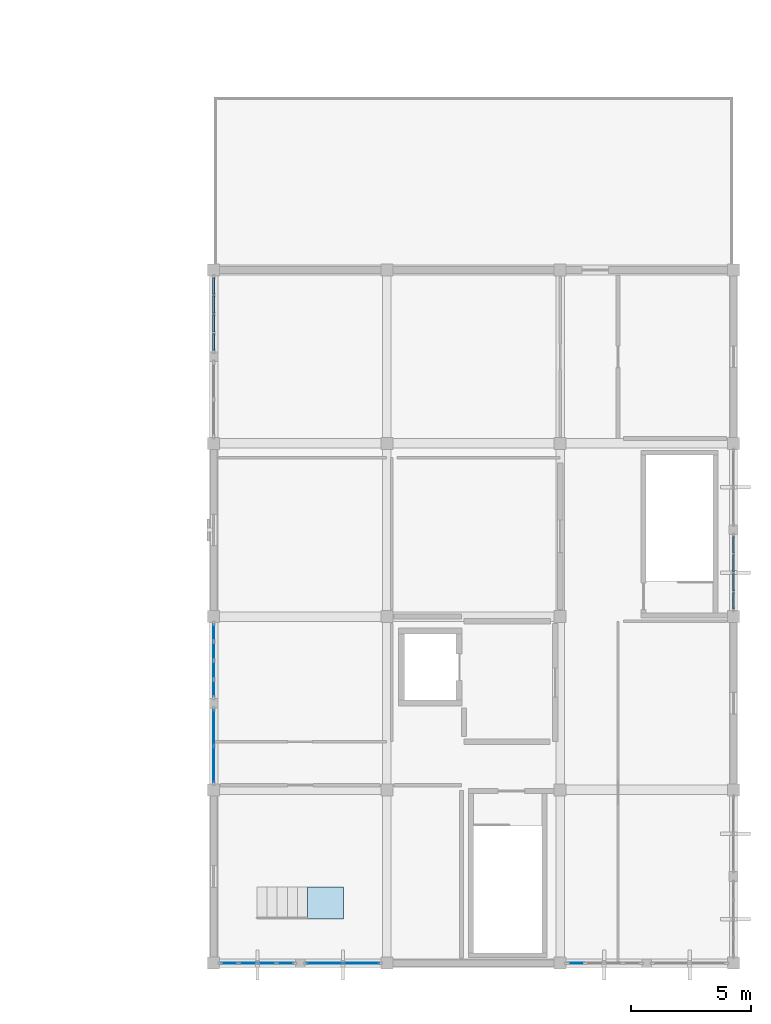
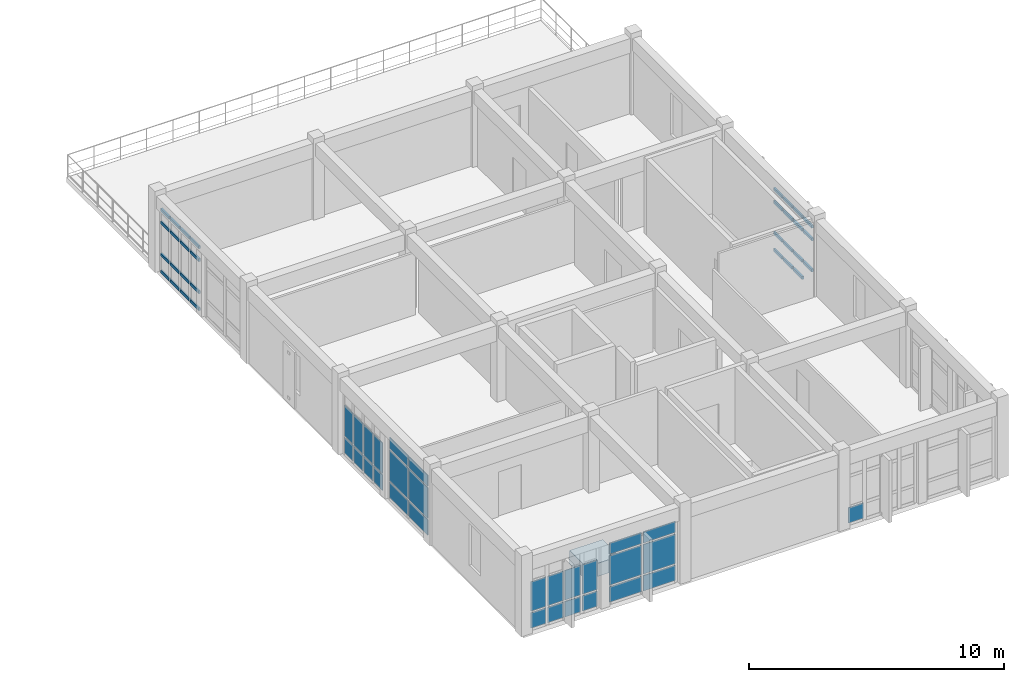
# One storey, part 7 of 14: 31 members, 29 plates, 1 slab, 7 elements without a shape of their own.
"""IFC4 building model written with IfcOpenShell, lengths in metres."""

from ifc_helpers import new_model, si_unit, direction, frame, origin, origin_2d, place, context, subcontext, project, spatial, polyline, rectangle, outline, extrude, material, layer, layer_set, material_profile, profile_set, type_object, element, aggregate, save


model = new_model("IFC4")

# Units and contexts
model_context = context("Model", 3, precision=1e-05, world=origin(), true_north=direction((0.0, 1.0)))
body_context = subcontext(model_context, "Body", "Model", "MODEL_VIEW")
ifc_project = project(units=[si_unit("LENGTHUNIT", "METRE"), si_unit("AREAUNIT", "SQUARE_METRE"), si_unit("VOLUMEUNIT", "CUBIC_METRE"), si_unit("PLANEANGLEUNIT", "RADIAN"), si_unit("MASSUNIT", "GRAM", prefix="KILO")], contexts=[model_context])

# Site, building, storey
site_placement = place(None, origin())
site = spatial("IfcSite", under=ifc_project, at=site_placement, CompositionType="ELEMENT")
building_placement = place(site_placement, origin())
building = spatial("IfcBuilding", under=site, at=building_placement, Name="Koriwan Promenade Central Fire Station", CompositionType="ELEMENT")
storey_placement = place(building_placement, frame((0.0, 0.0, 21.300048828125)))
storey = spatial("IfcBuildingStorey", under=building, at=storey_placement, Name="L05", CompositionType="ELEMENT", Elevation=21.300048828125)

# Curtain wall, members
ifc_material_1 = material(Name="Aluminium EN AW-6063-T6 and low-E glazing", Category="aluminium")
ifc_layer_1 = layer(ifc_material_1, 0.159912109375, Name="Aluminium EN AW-6063-T6 and low-E glazing")
ifc_layer_set_1 = layer_set([ifc_layer_1], Name="Aluminium EN AW-6063-T6 and low-E glazing")
curtain_wall_type_1 = type_object("IfcCurtainWallType", Name="CurtainWall_90_315x299", PredefinedType="USERDEFINED", material=ifc_layer_set_1)
curtain_wall_1_placement = place(storey_placement, origin())
curtain_wall_1 = element("IfcCurtainWall", 1, at=curtain_wall_1_placement, inside=storey, type_object=curtain_wall_type_1, Name="V5 L05 unitised curtain wall 279", ObjectType="UNITISED CURTAIN WALL", PredefinedType="USERDEFINED")
ifc_material_2 = material(Name="Aluminium EN AW-6063-T6", Category="aluminium")
ifc_material_profile = material_profile(ifc_material_2, rectangle(XDim=0.074951171875, YDim=0.139892578125, at=origin_2d()), Name="ALU-TRN-75x140")
ifc_profile_set = profile_set([ifc_material_profile], Name="Aluminium EN AW-6063-T6")
member_type = type_object("IfcMemberType", Name="CWTransom_ALU-TRN-75x140", PredefinedType="USERDEFINED", material=ifc_profile_set)
member_1_placement = place(storey_placement, frame((172.800048828125, 14.72509765625, 0.849853515625), z_axis=(0.0, 1.0, 0.0), x_axis=(-1.0, 0.0, 0.0)))
member_1 = element("IfcMember", 2, at=member_1_placement, type_object=member_type, Name="CW-90 transom 1.2", ObjectType="TRANSOM", PredefinedType="USERDEFINED", context=body_context, shape_type="SweptSolid", body=[
    extrude(rectangle(XDim=0.074951171875, YDim=0.139892578125, at=origin_2d()), origin(), (0.0, 0.0, 1.0), 0.6748046875),
])
member_2_placement = place(storey_placement, frame((172.800048828125, 14.72509765625, 2.33984375), z_axis=(0.0, 1.0, 0.0), x_axis=(-1.0, 0.0, 0.0)))
member_2 = element("IfcMember", 3, at=member_2_placement, type_object=member_type, Name="CW-90 transom 1.3", ObjectType="TRANSOM", PredefinedType="USERDEFINED", context=body_context, shape_type="SweptSolid", body=[
    extrude(rectangle(XDim=0.074951171875, YDim=0.139892578125, at=origin_2d()), origin(), (0.0, 0.0, 1.0), 0.6748046875),
])
member_3_placement = place(storey_placement, frame((172.800048828125, 14.72509765625, 2.952392578125), z_axis=(0.0, 1.0, 0.0), x_axis=(-1.0, 0.0, 0.0)))
member_3 = element("IfcMember", 4, at=member_3_placement, type_object=member_type, Name="CW-90 transom 1.4", ObjectType="TRANSOM", PredefinedType="USERDEFINED", context=body_context, shape_type="SweptSolid", body=[
    extrude(rectangle(XDim=0.074951171875, YDim=0.139892578125, at=origin_2d()), origin(), (0.0, 0.0, 1.0), 0.6748046875),
])
member_4_placement = place(storey_placement, frame((172.800048828125, 15.47509765625, 0.037353515625), z_axis=(0.0, 1.0, 0.0), x_axis=(-1.0, 0.0, 0.0)))
member_4 = element("IfcMember", 5, at=member_4_placement, type_object=member_type, Name="CW-90 transom 2.1", ObjectType="TRANSOM", PredefinedType="USERDEFINED", context=body_context, shape_type="SweptSolid", body=[
    extrude(rectangle(XDim=0.074951171875, YDim=0.139892578125, at=origin_2d()), origin(), (0.0, 0.0, 1.0), 0.71240234375),
])
member_5_placement = place(storey_placement, frame((172.800048828125, 15.47509765625, 0.849853515625), z_axis=(0.0, 1.0, 0.0), x_axis=(-1.0, 0.0, 0.0)))
member_5 = element("IfcMember", 6, at=member_5_placement, type_object=member_type, Name="CW-90 transom 2.2", ObjectType="TRANSOM", PredefinedType="USERDEFINED", context=body_context, shape_type="SweptSolid", body=[
    extrude(rectangle(XDim=0.074951171875, YDim=0.139892578125, at=origin_2d()), origin(), (0.0, 0.0, 1.0), 0.71240234375),
])
member_6_placement = place(storey_placement, frame((172.800048828125, 15.47509765625, 2.33984375), z_axis=(0.0, 1.0, 0.0), x_axis=(-1.0, 0.0, 0.0)))
member_6 = element("IfcMember", 7, at=member_6_placement, type_object=member_type, Name="CW-90 transom 2.3", ObjectType="TRANSOM", PredefinedType="USERDEFINED", context=body_context, shape_type="SweptSolid", body=[
    extrude(rectangle(XDim=0.074951171875, YDim=0.139892578125, at=origin_2d()), origin(), (0.0, 0.0, 1.0), 0.71240234375),
])
member_7_placement = place(storey_placement, frame((172.800048828125, 15.47509765625, 2.952392578125), z_axis=(0.0, 1.0, 0.0), x_axis=(-1.0, 0.0, 0.0)))
member_7 = element("IfcMember", 8, at=member_7_placement, type_object=member_type, Name="CW-90 transom 2.4", ObjectType="TRANSOM", PredefinedType="USERDEFINED", context=body_context, shape_type="SweptSolid", body=[
    extrude(rectangle(XDim=0.074951171875, YDim=0.139892578125, at=origin_2d()), origin(), (0.0, 0.0, 1.0), 0.71240234375),
])
member_8_placement = place(storey_placement, frame((172.800048828125, 16.262451171875, 0.037353515625), z_axis=(0.0, 1.0, 0.0), x_axis=(-1.0, 0.0, 0.0)))
member_8 = element("IfcMember", 9, at=member_8_placement, type_object=member_type, Name="CW-90 transom 3.1", ObjectType="TRANSOM", PredefinedType="USERDEFINED", context=body_context, shape_type="SweptSolid", body=[
    extrude(rectangle(XDim=0.074951171875, YDim=0.139892578125, at=origin_2d()), origin(), (0.0, 0.0, 1.0), 0.712646484375),
])
member_9_placement = place(storey_placement, frame((172.800048828125, 16.262451171875, 0.849853515625), z_axis=(0.0, 1.0, 0.0), x_axis=(-1.0, 0.0, 0.0)))
member_9 = element("IfcMember", 10, at=member_9_placement, type_object=member_type, Name="CW-90 transom 3.2", ObjectType="TRANSOM", PredefinedType="USERDEFINED", context=body_context, shape_type="SweptSolid", body=[
    extrude(rectangle(XDim=0.074951171875, YDim=0.139892578125, at=origin_2d()), origin(), (0.0, 0.0, 1.0), 0.712646484375),
])
member_10_placement = place(storey_placement, frame((172.800048828125, 16.262451171875, 2.33984375), z_axis=(0.0, 1.0, 0.0), x_axis=(-1.0, 0.0, 0.0)))
member_10 = element("IfcMember", 11, at=member_10_placement, type_object=member_type, Name="CW-90 transom 3.3", ObjectType="TRANSOM", PredefinedType="USERDEFINED", context=body_context, shape_type="SweptSolid", body=[
    extrude(rectangle(XDim=0.074951171875, YDim=0.139892578125, at=origin_2d()), origin(), (0.0, 0.0, 1.0), 0.712646484375),
])
member_11_placement = place(storey_placement, frame((172.800048828125, 16.262451171875, 2.952392578125), z_axis=(0.0, 1.0, 0.0), x_axis=(-1.0, 0.0, 0.0)))
member_11 = element("IfcMember", 12, at=member_11_placement, type_object=member_type, Name="CW-90 transom 3.4", ObjectType="TRANSOM", PredefinedType="USERDEFINED", context=body_context, shape_type="SweptSolid", body=[
    extrude(rectangle(XDim=0.074951171875, YDim=0.139892578125, at=origin_2d()), origin(), (0.0, 0.0, 1.0), 0.712646484375),
])
member_12_placement = place(storey_placement, frame((172.800048828125, 17.050048828125, 0.037353515625), z_axis=(0.0, 1.0, 0.0), x_axis=(-1.0, 0.0, 0.0)))
member_12 = element("IfcMember", 13, at=member_12_placement, type_object=member_type, Name="CW-90 transom 4.1", ObjectType="TRANSOM", PredefinedType="USERDEFINED", context=body_context, shape_type="SweptSolid", body=[
    extrude(rectangle(XDim=0.074951171875, YDim=0.139892578125, at=origin_2d()), origin(), (0.0, 0.0, 1.0), 0.675048828125),
])
member_13_placement = place(storey_placement, frame((172.800048828125, 17.050048828125, 0.849853515625), z_axis=(0.0, 1.0, 0.0), x_axis=(-1.0, 0.0, 0.0)))
member_13 = element("IfcMember", 14, at=member_13_placement, type_object=member_type, Name="CW-90 transom 4.2", ObjectType="TRANSOM", PredefinedType="USERDEFINED", context=body_context, shape_type="SweptSolid", body=[
    extrude(rectangle(XDim=0.074951171875, YDim=0.139892578125, at=origin_2d()), origin(), (0.0, 0.0, 1.0), 0.675048828125),
])
member_14_placement = place(storey_placement, frame((172.800048828125, 17.050048828125, 2.33984375), z_axis=(0.0, 1.0, 0.0), x_axis=(-1.0, 0.0, 0.0)))
member_14 = element("IfcMember", 15, at=member_14_placement, type_object=member_type, Name="CW-90 transom 4.3", ObjectType="TRANSOM", PredefinedType="USERDEFINED", context=body_context, shape_type="SweptSolid", body=[
    extrude(rectangle(XDim=0.074951171875, YDim=0.139892578125, at=origin_2d()), origin(), (0.0, 0.0, 1.0), 0.675048828125),
])
member_15_placement = place(storey_placement, frame((172.800048828125, 17.050048828125, 2.952392578125), z_axis=(0.0, 1.0, 0.0), x_axis=(-1.0, 0.0, 0.0)))
member_15 = element("IfcMember", 16, at=member_15_placement, type_object=member_type, Name="CW-90 transom 4.4", ObjectType="TRANSOM", PredefinedType="USERDEFINED", context=body_context, shape_type="SweptSolid", body=[
    extrude(rectangle(XDim=0.074951171875, YDim=0.139892578125, at=origin_2d()), origin(), (0.0, 0.0, 1.0), 0.675048828125),
])
aggregate(curtain_wall_1, [member_1, member_2, member_3, member_4, member_5, member_6, member_7, member_8, member_9, member_10, member_11, member_12, member_13, member_14, member_15])

ifc_layer_2 = layer(ifc_material_1, 0.159912109375, Name="Aluminium EN AW-6063-T6 and low-E glazing")
ifc_layer_set_2 = layer_set([ifc_layer_2], Name="Aluminium EN AW-6063-T6 and low-E glazing")
curtain_wall_type_2 = type_object("IfcCurtainWallType", Name="CurtainWall_91_315x304", PredefinedType="USERDEFINED", material=ifc_layer_set_2)
curtain_wall_2_placement = place(storey_placement, origin())
curtain_wall_2 = element("IfcCurtainWall", 17, at=curtain_wall_2_placement, inside=storey, type_object=curtain_wall_type_2, Name="V5 L05 unitised curtain wall 281", ObjectType="UNITISED CURTAIN WALL", PredefinedType="USERDEFINED")
member_16_placement = place(storey_placement, frame((151.199951171875, 28.47509765625, 0.037353515625), z_axis=(0.0, -1.0, 0.0), x_axis=(1.0, 0.0, 0.0)))
member_16 = element("IfcMember", 18, at=member_16_placement, type_object=member_type, Name="CW-91 transom 1.1", ObjectType="TRANSOM", PredefinedType="USERDEFINED", context=body_context, shape_type="SweptSolid", body=[
    extrude(rectangle(XDim=0.074951171875, YDim=0.139892578125, at=origin_2d()), origin(), (0.0, 0.0, 1.0), 0.675048828125),
])
member_17_placement = place(storey_placement, frame((151.199951171875, 28.47509765625, 0.849853515625), z_axis=(0.0, -1.0, 0.0), x_axis=(1.0, 0.0, 0.0)))
member_17 = element("IfcMember", 19, at=member_17_placement, type_object=member_type, Name="CW-91 transom 1.2", ObjectType="TRANSOM", PredefinedType="USERDEFINED", context=body_context, shape_type="SweptSolid", body=[
    extrude(rectangle(XDim=0.074951171875, YDim=0.139892578125, at=origin_2d()), origin(), (0.0, 0.0, 1.0), 0.675048828125),
])
member_18_placement = place(storey_placement, frame((151.199951171875, 28.47509765625, 2.389892578125), z_axis=(0.0, -1.0, 0.0), x_axis=(1.0, 0.0, 0.0)))
member_18 = element("IfcMember", 20, at=member_18_placement, type_object=member_type, Name="CW-91 transom 1.3", ObjectType="TRANSOM", PredefinedType="USERDEFINED", context=body_context, shape_type="SweptSolid", body=[
    extrude(rectangle(XDim=0.074951171875, YDim=0.139892578125, at=origin_2d()), origin(), (0.0, 0.0, 1.0), 0.675048828125),
])
member_19_placement = place(storey_placement, frame((151.199951171875, 28.47509765625, 3.00244140625), z_axis=(0.0, -1.0, 0.0), x_axis=(1.0, 0.0, 0.0)))
member_19 = element("IfcMember", 21, at=member_19_placement, type_object=member_type, Name="CW-91 transom 1.4", ObjectType="TRANSOM", PredefinedType="USERDEFINED", context=body_context, shape_type="SweptSolid", body=[
    extrude(rectangle(XDim=0.074951171875, YDim=0.139892578125, at=origin_2d()), origin(), (0.0, 0.0, 1.0), 0.675048828125),
])
member_20_placement = place(storey_placement, frame((151.199951171875, 27.72509765625, 0.037353515625), z_axis=(0.0, -1.0, 0.0), x_axis=(1.0, 0.0, 0.0)))
member_20 = element("IfcMember", 22, at=member_20_placement, type_object=member_type, Name="CW-91 transom 2.1", ObjectType="TRANSOM", PredefinedType="USERDEFINED", context=body_context, shape_type="SweptSolid", body=[
    extrude(rectangle(XDim=0.074951171875, YDim=0.139892578125, at=origin_2d()), origin(), (0.0, 0.0, 1.0), 0.712646484375),
])
member_21_placement = place(storey_placement, frame((151.199951171875, 27.72509765625, 0.849853515625), z_axis=(0.0, -1.0, 0.0), x_axis=(1.0, 0.0, 0.0)))
member_21 = element("IfcMember", 23, at=member_21_placement, type_object=member_type, Name="CW-91 transom 2.2", ObjectType="TRANSOM", PredefinedType="USERDEFINED", context=body_context, shape_type="SweptSolid", body=[
    extrude(rectangle(XDim=0.074951171875, YDim=0.139892578125, at=origin_2d()), origin(), (0.0, 0.0, 1.0), 0.712646484375),
])
member_22_placement = place(storey_placement, frame((151.199951171875, 27.72509765625, 2.389892578125), z_axis=(0.0, -1.0, 0.0), x_axis=(1.0, 0.0, 0.0)))
member_22 = element("IfcMember", 24, at=member_22_placement, type_object=member_type, Name="CW-91 transom 2.3", ObjectType="TRANSOM", PredefinedType="USERDEFINED", context=body_context, shape_type="SweptSolid", body=[
    extrude(rectangle(XDim=0.074951171875, YDim=0.139892578125, at=origin_2d()), origin(), (0.0, 0.0, 1.0), 0.712646484375),
])
member_23_placement = place(storey_placement, frame((151.199951171875, 27.72509765625, 3.00244140625), z_axis=(0.0, -1.0, 0.0), x_axis=(1.0, 0.0, 0.0)))
member_23 = element("IfcMember", 25, at=member_23_placement, type_object=member_type, Name="CW-91 transom 2.4", ObjectType="TRANSOM", PredefinedType="USERDEFINED", context=body_context, shape_type="SweptSolid", body=[
    extrude(rectangle(XDim=0.074951171875, YDim=0.139892578125, at=origin_2d()), origin(), (0.0, 0.0, 1.0), 0.712646484375),
])
member_24_placement = place(storey_placement, frame((151.199951171875, 26.9375, 0.037353515625), z_axis=(0.0, -1.0, 0.0), x_axis=(1.0, 0.0, 0.0)))
member_24 = element("IfcMember", 26, at=member_24_placement, type_object=member_type, Name="CW-91 transom 3.1", ObjectType="TRANSOM", PredefinedType="USERDEFINED", context=body_context, shape_type="SweptSolid", body=[
    extrude(rectangle(XDim=0.074951171875, YDim=0.139892578125, at=origin_2d()), origin(), (0.0, 0.0, 1.0), 0.71240234375),
])
member_25_placement = place(storey_placement, frame((151.199951171875, 26.9375, 0.849853515625), z_axis=(0.0, -1.0, 0.0), x_axis=(1.0, 0.0, 0.0)))
member_25 = element("IfcMember", 27, at=member_25_placement, type_object=member_type, Name="CW-91 transom 3.2", ObjectType="TRANSOM", PredefinedType="USERDEFINED", context=body_context, shape_type="SweptSolid", body=[
    extrude(rectangle(XDim=0.074951171875, YDim=0.139892578125, at=origin_2d()), origin(), (0.0, 0.0, 1.0), 0.71240234375),
])
member_26_placement = place(storey_placement, frame((151.199951171875, 26.9375, 2.389892578125), z_axis=(0.0, -1.0, 0.0), x_axis=(1.0, 0.0, 0.0)))
member_26 = element("IfcMember", 28, at=member_26_placement, type_object=member_type, Name="CW-91 transom 3.3", ObjectType="TRANSOM", PredefinedType="USERDEFINED", context=body_context, shape_type="SweptSolid", body=[
    extrude(rectangle(XDim=0.074951171875, YDim=0.139892578125, at=origin_2d()), origin(), (0.0, 0.0, 1.0), 0.71240234375),
])
member_27_placement = place(storey_placement, frame((151.199951171875, 26.9375, 3.00244140625), z_axis=(0.0, -1.0, 0.0), x_axis=(1.0, 0.0, 0.0)))
member_27 = element("IfcMember", 29, at=member_27_placement, type_object=member_type, Name="CW-91 transom 3.4", ObjectType="TRANSOM", PredefinedType="USERDEFINED", context=body_context, shape_type="SweptSolid", body=[
    extrude(rectangle(XDim=0.074951171875, YDim=0.139892578125, at=origin_2d()), origin(), (0.0, 0.0, 1.0), 0.71240234375),
])
member_28_placement = place(storey_placement, frame((151.199951171875, 26.14990234375, 0.037353515625), z_axis=(0.0, -1.0, 0.0), x_axis=(1.0, 0.0, 0.0)))
member_28 = element("IfcMember", 30, at=member_28_placement, type_object=member_type, Name="CW-91 transom 4.1", ObjectType="TRANSOM", PredefinedType="USERDEFINED", context=body_context, shape_type="SweptSolid", body=[
    extrude(rectangle(XDim=0.074951171875, YDim=0.139892578125, at=origin_2d()), origin(), (0.0, 0.0, 1.0), 0.6748046875),
])
member_29_placement = place(storey_placement, frame((151.199951171875, 26.14990234375, 0.849853515625), z_axis=(0.0, -1.0, 0.0), x_axis=(1.0, 0.0, 0.0)))
member_29 = element("IfcMember", 31, at=member_29_placement, type_object=member_type, Name="CW-91 transom 4.2", ObjectType="TRANSOM", PredefinedType="USERDEFINED", context=body_context, shape_type="SweptSolid", body=[
    extrude(rectangle(XDim=0.074951171875, YDim=0.139892578125, at=origin_2d()), origin(), (0.0, 0.0, 1.0), 0.6748046875),
])
member_30_placement = place(storey_placement, frame((151.199951171875, 26.14990234375, 2.389892578125), z_axis=(0.0, -1.0, 0.0), x_axis=(1.0, 0.0, 0.0)))
member_30 = element("IfcMember", 32, at=member_30_placement, type_object=member_type, Name="CW-91 transom 4.3", ObjectType="TRANSOM", PredefinedType="USERDEFINED", context=body_context, shape_type="SweptSolid", body=[
    extrude(rectangle(XDim=0.074951171875, YDim=0.139892578125, at=origin_2d()), origin(), (0.0, 0.0, 1.0), 0.6748046875),
])
member_31_placement = place(storey_placement, frame((151.199951171875, 26.14990234375, 3.00244140625), z_axis=(0.0, -1.0, 0.0), x_axis=(1.0, 0.0, 0.0)))
member_31 = element("IfcMember", 33, at=member_31_placement, type_object=member_type, Name="CW-91 transom 4.4", ObjectType="TRANSOM", PredefinedType="USERDEFINED", context=body_context, shape_type="SweptSolid", body=[
    extrude(rectangle(XDim=0.074951171875, YDim=0.139892578125, at=origin_2d()), origin(), (0.0, 0.0, 1.0), 0.6748046875),
])
aggregate(curtain_wall_2, [member_16, member_17, member_18, member_19, member_20, member_21, member_22, member_23, member_24, member_25, member_26, member_27, member_28, member_29, member_30, member_31])

# Curtain wall, plates
curtain_wall_3_placement = place(storey_placement, origin())
curtain_wall_3 = element("IfcCurtainWall", 34, at=curtain_wall_3_placement, inside=storey, type_object=curtain_wall_type_2, Name="V5 L05 unitised curtain wall 283", ObjectType="UNITISED CURTAIN WALL", PredefinedType="USERDEFINED")
ifc_material_3 = material(Name="Solar-control low-E acoustic glazing", Category="glass")
ifc_layer_3 = layer(ifc_material_3, 0.031982421875, Name="Solar-control low-E acoustic glazing")
ifc_layer_set_3 = layer_set([ifc_layer_3], Name="Solar-control low-E acoustic glazing")
plate_type = type_object("IfcPlateType", Name="CWPanel_32", PredefinedType="CURTAIN_PANEL", material=ifc_layer_set_3)
plate_1_placement = place(storey_placement, frame((151.199951171875, 13.737548828125, 0.07470703125), z_axis=(0.0, 0.0, 1.0), x_axis=(0.0, -1.0, 0.0)))
plate_1 = element("IfcPlate", 35, at=plate_1_placement, type_object=plate_type, Name="CW-91 panel 1.1", PredefinedType="CURTAIN_PANEL", context=body_context, shape_type="SweptSolid", body=[
    extrude(rectangle(XDim=0.675048828125, YDim=0.031982421875, at=origin_2d()), origin(), (0.0, 0.0, 1.0), 0.737548828125),
])
plate_2_placement = place(storey_placement, frame((151.199951171875, 13.737548828125, 0.88720703125), z_axis=(0.0, 0.0, 1.0), x_axis=(0.0, -1.0, 0.0)))
plate_2 = element("IfcPlate", 36, at=plate_2_placement, type_object=plate_type, Name="CW-91 panel 1.2", PredefinedType="CURTAIN_PANEL", context=body_context, shape_type="SweptSolid", body=[
    extrude(rectangle(XDim=0.675048828125, YDim=0.031982421875, at=origin_2d()), origin(), (0.0, 0.0, 1.0), 1.465087890625),
])
plate_3_placement = place(storey_placement, frame((151.199951171875, 12.96875, 0.07470703125), z_axis=(0.0, 0.0, 1.0), x_axis=(0.0, -1.0, 0.0)))
plate_3 = element("IfcPlate", 37, at=plate_3_placement, type_object=plate_type, Name="CW-91 panel 2.1", PredefinedType="CURTAIN_PANEL", context=body_context, shape_type="SweptSolid", body=[
    extrude(rectangle(XDim=0.71240234375, YDim=0.031982421875, at=origin_2d()), origin(), (0.0, 0.0, 1.0), 0.737548828125),
])
plate_4_placement = place(storey_placement, frame((151.199951171875, 12.96875, 0.88720703125), z_axis=(0.0, 0.0, 1.0), x_axis=(0.0, -1.0, 0.0)))
plate_4 = element("IfcPlate", 38, at=plate_4_placement, type_object=plate_type, Name="CW-91 panel 2.2", PredefinedType="CURTAIN_PANEL", context=body_context, shape_type="SweptSolid", body=[
    extrude(rectangle(XDim=0.71240234375, YDim=0.031982421875, at=origin_2d()), origin(), (0.0, 0.0, 1.0), 1.465087890625),
])
plate_5_placement = place(storey_placement, frame((151.199951171875, 12.18115234375, 0.07470703125), z_axis=(0.0, 0.0, 1.0), x_axis=(0.0, -1.0, 0.0)))
plate_5 = element("IfcPlate", 39, at=plate_5_placement, type_object=plate_type, Name="CW-91 panel 3.1", PredefinedType="CURTAIN_PANEL", context=body_context, shape_type="SweptSolid", body=[
    extrude(rectangle(XDim=0.71240234375, YDim=0.031982421875, at=origin_2d()), origin(), (0.0, 0.0, 1.0), 0.737548828125),
])
plate_6_placement = place(storey_placement, frame((151.199951171875, 12.18115234375, 0.88720703125), z_axis=(0.0, 0.0, 1.0), x_axis=(0.0, -1.0, 0.0)))
plate_6 = element("IfcPlate", 40, at=plate_6_placement, type_object=plate_type, Name="CW-91 panel 3.2", PredefinedType="CURTAIN_PANEL", context=body_context, shape_type="SweptSolid", body=[
    extrude(rectangle(XDim=0.71240234375, YDim=0.031982421875, at=origin_2d()), origin(), (0.0, 0.0, 1.0), 1.465087890625),
])
plate_7_placement = place(storey_placement, frame((151.199951171875, 11.41259765625, 0.07470703125), z_axis=(0.0, 0.0, 1.0), x_axis=(0.0, -1.0, 0.0)))
plate_7 = element("IfcPlate", 41, at=plate_7_placement, type_object=plate_type, Name="CW-91 panel 4.1", PredefinedType="CURTAIN_PANEL", context=body_context, shape_type="SweptSolid", body=[
    extrude(rectangle(XDim=0.675048828125, YDim=0.031982421875, at=origin_2d()), origin(), (0.0, 0.0, 1.0), 0.737548828125),
])
plate_8_placement = place(storey_placement, frame((151.199951171875, 11.41259765625, 0.88720703125), z_axis=(0.0, 0.0, 1.0), x_axis=(0.0, -1.0, 0.0)))
plate_8 = element("IfcPlate", 42, at=plate_8_placement, type_object=plate_type, Name="CW-91 panel 4.2", PredefinedType="CURTAIN_PANEL", context=body_context, shape_type="SweptSolid", body=[
    extrude(rectangle(XDim=0.675048828125, YDim=0.031982421875, at=origin_2d()), origin(), (0.0, 0.0, 1.0), 1.465087890625),
])
aggregate(curtain_wall_3, [plate_1, plate_2, plate_3, plate_4, plate_5, plate_6, plate_7, plate_8])

ifc_layer_4 = layer(ifc_material_1, 0.159912109375, Name="Aluminium EN AW-6063-T6 and low-E glazing")
ifc_layer_set_4 = layer_set([ifc_layer_4], Name="Aluminium EN AW-6063-T6 and low-E glazing")
curtain_wall_type_3 = type_object("IfcCurtainWallType", Name="CurtainWall_92_315x304", PredefinedType="USERDEFINED", material=ifc_layer_set_4)
curtain_wall_4_placement = place(storey_placement, origin())
curtain_wall_4 = element("IfcCurtainWall", 43, at=curtain_wall_4_placement, inside=storey, type_object=curtain_wall_type_3, Name="V5 L05 unitised curtain wall 284", ObjectType="UNITISED CURTAIN WALL", PredefinedType="USERDEFINED")
plate_9_placement = place(storey_placement, frame((151.199951171875, 9.793701171875, 0.07470703125), z_axis=(0.0, 0.0, 1.0), x_axis=(0.0, -1.0, 0.0)))
plate_9 = element("IfcPlate", 44, at=plate_9_placement, type_object=plate_type, Name="CW-92 panel 1.1", PredefinedType="CURTAIN_PANEL", context=body_context, shape_type="SweptSolid", body=[
    extrude(rectangle(XDim=1.46240234375, YDim=0.031982421875, at=origin_2d()), origin(), (0.0, 0.0, 1.0), 0.737548828125),
])
plate_10_placement = place(storey_placement, frame((151.199951171875, 9.793701171875, 0.88720703125), z_axis=(0.0, 0.0, 1.0), x_axis=(0.0, -1.0, 0.0)))
plate_10 = element("IfcPlate", 45, at=plate_10_placement, type_object=plate_type, Name="CW-92 panel 1.2", PredefinedType="CURTAIN_PANEL", context=body_context, shape_type="SweptSolid", body=[
    extrude(rectangle(XDim=1.46240234375, YDim=0.031982421875, at=origin_2d()), origin(), (0.0, 0.0, 1.0), 1.465087890625),
])
plate_11_placement = place(storey_placement, frame((151.199951171875, 9.793701171875, 2.427490234375), z_axis=(0.0, 0.0, 1.0), x_axis=(0.0, -1.0, 0.0)))
plate_11 = element("IfcPlate", 46, at=plate_11_placement, type_object=plate_type, Name="CW-92 panel 1.3", PredefinedType="CURTAIN_PANEL", context=body_context, shape_type="SweptSolid", body=[
    extrude(rectangle(XDim=1.46240234375, YDim=0.031982421875, at=origin_2d()), origin(), (0.0, 0.0, 1.0), 0.53759765625),
])
plate_12_placement = place(storey_placement, frame((151.199951171875, 8.25634765625, 0.07470703125), z_axis=(0.0, 0.0, 1.0), x_axis=(0.0, -1.0, 0.0)))
plate_12 = element("IfcPlate", 47, at=plate_12_placement, type_object=plate_type, Name="CW-92 panel 2.1", PredefinedType="CURTAIN_PANEL", context=body_context, shape_type="SweptSolid", body=[
    extrude(rectangle(XDim=1.46240234375, YDim=0.031982421875, at=origin_2d()), origin(), (0.0, 0.0, 1.0), 0.737548828125),
])
plate_13_placement = place(storey_placement, frame((151.199951171875, 8.25634765625, 0.88720703125), z_axis=(0.0, 0.0, 1.0), x_axis=(0.0, -1.0, 0.0)))
plate_13 = element("IfcPlate", 48, at=plate_13_placement, type_object=plate_type, Name="CW-92 panel 2.2", PredefinedType="CURTAIN_PANEL", context=body_context, shape_type="SweptSolid", body=[
    extrude(rectangle(XDim=1.46240234375, YDim=0.031982421875, at=origin_2d()), origin(), (0.0, 0.0, 1.0), 1.465087890625),
])
plate_14_placement = place(storey_placement, frame((151.199951171875, 8.25634765625, 2.427490234375), z_axis=(0.0, 0.0, 1.0), x_axis=(0.0, -1.0, 0.0)))
plate_14 = element("IfcPlate", 49, at=plate_14_placement, type_object=plate_type, Name="CW-92 panel 2.3", PredefinedType="CURTAIN_PANEL", context=body_context, shape_type="SweptSolid", body=[
    extrude(rectangle(XDim=1.46240234375, YDim=0.031982421875, at=origin_2d()), origin(), (0.0, 0.0, 1.0), 0.53759765625),
])
aggregate(curtain_wall_4, [plate_9, plate_10, plate_11, plate_12, plate_13, plate_14])

curtain_wall_5_placement = place(storey_placement, origin())
curtain_wall_5 = element("IfcCurtainWall", 50, at=curtain_wall_5_placement, inside=storey, type_object=curtain_wall_type_1, Name="V5 L05 unitised curtain wall 285", ObjectType="UNITISED CURTAIN WALL", PredefinedType="USERDEFINED")
plate_15_placement = place(storey_placement, frame((151.862548828125, 0.0, 0.07470703125), z_axis=(0.0, 0.0, 1.0), x_axis=(1.0, 0.0, 0.0)))
plate_15 = element("IfcPlate", 51, at=plate_15_placement, type_object=plate_type, Name="CW-90 panel 1.1", PredefinedType="CURTAIN_PANEL", context=body_context, shape_type="SweptSolid", body=[
    extrude(rectangle(XDim=0.675048828125, YDim=0.031982421875, at=origin_2d()), origin(), (0.0, 0.0, 1.0), 0.737548828125),
])
plate_16_placement = place(storey_placement, frame((151.862548828125, 0.0, 0.887451171875), z_axis=(0.0, 0.0, 1.0), x_axis=(1.0, 0.0, 0.0)))
plate_16 = element("IfcPlate", 52, at=plate_16_placement, type_object=plate_type, Name="CW-90 panel 1.2", PredefinedType="CURTAIN_PANEL", context=body_context, shape_type="SweptSolid", body=[
    extrude(rectangle(XDim=0.675048828125, YDim=0.031982421875, at=origin_2d()), origin(), (0.0, 0.0, 1.0), 1.4150390625),
])
plate_17_placement = place(storey_placement, frame((152.63134765625, 0.0, 0.07470703125), z_axis=(0.0, 0.0, 1.0), x_axis=(1.0, 0.0, 0.0)))
plate_17 = element("IfcPlate", 53, at=plate_17_placement, type_object=plate_type, Name="CW-90 panel 2.1", PredefinedType="CURTAIN_PANEL", context=body_context, shape_type="SweptSolid", body=[
    extrude(rectangle(XDim=0.71240234375, YDim=0.031982421875, at=origin_2d()), origin(), (0.0, 0.0, 1.0), 0.737548828125),
])
plate_18_placement = place(storey_placement, frame((152.63134765625, 0.0, 0.887451171875), z_axis=(0.0, 0.0, 1.0), x_axis=(1.0, 0.0, 0.0)))
plate_18 = element("IfcPlate", 54, at=plate_18_placement, type_object=plate_type, Name="CW-90 panel 2.2", PredefinedType="CURTAIN_PANEL", context=body_context, shape_type="SweptSolid", body=[
    extrude(rectangle(XDim=0.71240234375, YDim=0.031982421875, at=origin_2d()), origin(), (0.0, 0.0, 1.0), 1.4150390625),
])
plate_19_placement = place(storey_placement, frame((153.418701171875, 0.0, 0.07470703125), z_axis=(0.0, 0.0, 1.0), x_axis=(1.0, 0.0, 0.0)))
plate_19 = element("IfcPlate", 55, at=plate_19_placement, type_object=plate_type, Name="CW-90 panel 3.1", PredefinedType="CURTAIN_PANEL", context=body_context, shape_type="SweptSolid", body=[
    extrude(rectangle(XDim=0.71240234375, YDim=0.031982421875, at=origin_2d()), origin(), (0.0, 0.0, 1.0), 0.737548828125),
])
plate_20_placement = place(storey_placement, frame((153.418701171875, 0.0, 0.887451171875), z_axis=(0.0, 0.0, 1.0), x_axis=(1.0, 0.0, 0.0)))
plate_20 = element("IfcPlate", 56, at=plate_20_placement, type_object=plate_type, Name="CW-90 panel 3.2", PredefinedType="CURTAIN_PANEL", context=body_context, shape_type="SweptSolid", body=[
    extrude(rectangle(XDim=0.71240234375, YDim=0.031982421875, at=origin_2d()), origin(), (0.0, 0.0, 1.0), 1.4150390625),
])
plate_21_placement = place(storey_placement, frame((154.1875, 0.0, 0.07470703125), z_axis=(0.0, 0.0, 1.0), x_axis=(1.0, 0.0, 0.0)))
plate_21 = element("IfcPlate", 57, at=plate_21_placement, type_object=plate_type, Name="CW-90 panel 4.1", PredefinedType="CURTAIN_PANEL", context=body_context, shape_type="SweptSolid", body=[
    extrude(rectangle(XDim=0.675048828125, YDim=0.031982421875, at=origin_2d()), origin(), (0.0, 0.0, 1.0), 0.737548828125),
])
plate_22_placement = place(storey_placement, frame((154.1875, 0.0, 0.887451171875), z_axis=(0.0, 0.0, 1.0), x_axis=(1.0, 0.0, 0.0)))
plate_22 = element("IfcPlate", 58, at=plate_22_placement, type_object=plate_type, Name="CW-90 panel 4.2", PredefinedType="CURTAIN_PANEL", context=body_context, shape_type="SweptSolid", body=[
    extrude(rectangle(XDim=0.675048828125, YDim=0.031982421875, at=origin_2d()), origin(), (0.0, 0.0, 1.0), 1.4150390625),
])
aggregate(curtain_wall_5, [plate_15, plate_16, plate_17, plate_18, plate_19, plate_20, plate_21, plate_22])

ifc_layer_5 = layer(ifc_material_1, 0.159912109375, Name="Aluminium EN AW-6063-T6 and low-E glazing")
ifc_layer_set_5 = layer_set([ifc_layer_5], Name="Aluminium EN AW-6063-T6 and low-E glazing")
curtain_wall_type_4 = type_object("IfcCurtainWallType", Name="CurtainWall_15_315x299", PredefinedType="USERDEFINED", material=ifc_layer_set_5)
curtain_wall_6_placement = place(storey_placement, origin())
curtain_wall_6 = element("IfcCurtainWall", 59, at=curtain_wall_6_placement, inside=storey, type_object=curtain_wall_type_4, Name="V5 L05 unitised curtain wall 286", ObjectType="UNITISED CURTAIN WALL", PredefinedType="USERDEFINED")
plate_23_placement = place(storey_placement, frame((155.80615234375, 0.0, 0.07470703125), z_axis=(0.0, 0.0, 1.0), x_axis=(1.0, 0.0, 0.0)))
plate_23 = element("IfcPlate", 60, at=plate_23_placement, type_object=plate_type, Name="CW-15 panel 1.1", PredefinedType="CURTAIN_PANEL", context=body_context, shape_type="SweptSolid", body=[
    extrude(rectangle(XDim=1.46240234375, YDim=0.031982421875, at=origin_2d()), origin(), (0.0, 0.0, 1.0), 0.737548828125),
])
plate_24_placement = place(storey_placement, frame((155.80615234375, 0.0, 0.887451171875), z_axis=(0.0, 0.0, 1.0), x_axis=(1.0, 0.0, 0.0)))
plate_24 = element("IfcPlate", 61, at=plate_24_placement, type_object=plate_type, Name="CW-15 panel 1.2", PredefinedType="CURTAIN_PANEL", context=body_context, shape_type="SweptSolid", body=[
    extrude(rectangle(XDim=1.46240234375, YDim=0.031982421875, at=origin_2d()), origin(), (0.0, 0.0, 1.0), 1.4150390625),
])
plate_25_placement = place(storey_placement, frame((155.80615234375, 0.0, 2.37744140625), z_axis=(0.0, 0.0, 1.0), x_axis=(1.0, 0.0, 0.0)))
plate_25 = element("IfcPlate", 62, at=plate_25_placement, type_object=plate_type, Name="CW-15 panel 1.3", PredefinedType="CURTAIN_PANEL", context=body_context, shape_type="SweptSolid", body=[
    extrude(rectangle(XDim=1.46240234375, YDim=0.031982421875, at=origin_2d()), origin(), (0.0, 0.0, 1.0), 0.53759765625),
])
plate_26_placement = place(storey_placement, frame((157.34375, 0.0, 0.07470703125), z_axis=(0.0, 0.0, 1.0), x_axis=(1.0, 0.0, 0.0)))
plate_26 = element("IfcPlate", 63, at=plate_26_placement, type_object=plate_type, Name="CW-15 panel 2.1", PredefinedType="CURTAIN_PANEL", context=body_context, shape_type="SweptSolid", body=[
    extrude(rectangle(XDim=1.46240234375, YDim=0.031982421875, at=origin_2d()), origin(), (0.0, 0.0, 1.0), 0.737548828125),
])
plate_27_placement = place(storey_placement, frame((157.34375, 0.0, 0.887451171875), z_axis=(0.0, 0.0, 1.0), x_axis=(1.0, 0.0, 0.0)))
plate_27 = element("IfcPlate", 64, at=plate_27_placement, type_object=plate_type, Name="CW-15 panel 2.2", PredefinedType="CURTAIN_PANEL", context=body_context, shape_type="SweptSolid", body=[
    extrude(rectangle(XDim=1.46240234375, YDim=0.031982421875, at=origin_2d()), origin(), (0.0, 0.0, 1.0), 1.4150390625),
])
plate_28_placement = place(storey_placement, frame((157.34375, 0.0, 2.37744140625), z_axis=(0.0, 0.0, 1.0), x_axis=(1.0, 0.0, 0.0)))
plate_28 = element("IfcPlate", 65, at=plate_28_placement, type_object=plate_type, Name="CW-15 panel 2.3", PredefinedType="CURTAIN_PANEL", context=body_context, shape_type="SweptSolid", body=[
    extrude(rectangle(XDim=1.46240234375, YDim=0.031982421875, at=origin_2d()), origin(), (0.0, 0.0, 1.0), 0.53759765625),
])
aggregate(curtain_wall_6, [plate_23, plate_24, plate_25, plate_26, plate_27, plate_28])

# Curtain wall, plate
curtain_wall_7_placement = place(storey_placement, origin())
curtain_wall_7 = element("IfcCurtainWall", 66, at=curtain_wall_7_placement, inside=storey, type_object=curtain_wall_type_1, Name="V5 L05 unitised curtain wall 287", ObjectType="UNITISED CURTAIN WALL", PredefinedType="USERDEFINED")
plate_29_placement = place(storey_placement, frame((166.262451171875, 0.0, 0.07470703125), z_axis=(0.0, 0.0, 1.0), x_axis=(1.0, 0.0, 0.0)))
plate_29 = element("IfcPlate", 67, at=plate_29_placement, type_object=plate_type, Name="CW-90 panel 1.1", PredefinedType="CURTAIN_PANEL", context=body_context, shape_type="SweptSolid", body=[
    extrude(rectangle(XDim=0.675048828125, YDim=0.031982421875, at=origin_2d()), origin(), (0.0, 0.0, 1.0), 0.737548828125),
])
aggregate(curtain_wall_7, [plate_29])

# Slab
ifc_material_4 = material(Name="Concrete C35/45", Category="concrete")
ifc_layer_6 = layer(ifc_material_4, 0.6298828125, Name="Concrete C35/45")
ifc_layer_set_6 = layer_set([ifc_layer_6], Name="Concrete C35/45")
slab_type = type_object("IfcSlabType", Name="DaisPlatform_630", PredefinedType="LANDING", material=ifc_layer_set_6)
slab_placement = place(storey_placement, origin())
element("IfcSlab", 68, at=slab_placement, inside=storey, type_object=slab_type, Name="L05 speaker dais platform 05", PredefinedType="LANDING", context=body_context, shape_type="SweptSolid", body=[
    extrude(outline(polyline([(155.097900390625, 1.840087890625), (156.60009765625, 1.840087890625), (156.60009765625, 3.159912109375), (155.097900390625, 3.159912109375), (155.097900390625, 1.840087890625)])), origin(), (0.0, 0.0, 1.0), 0.6298828125),
])

save(model, "model.ifc")
